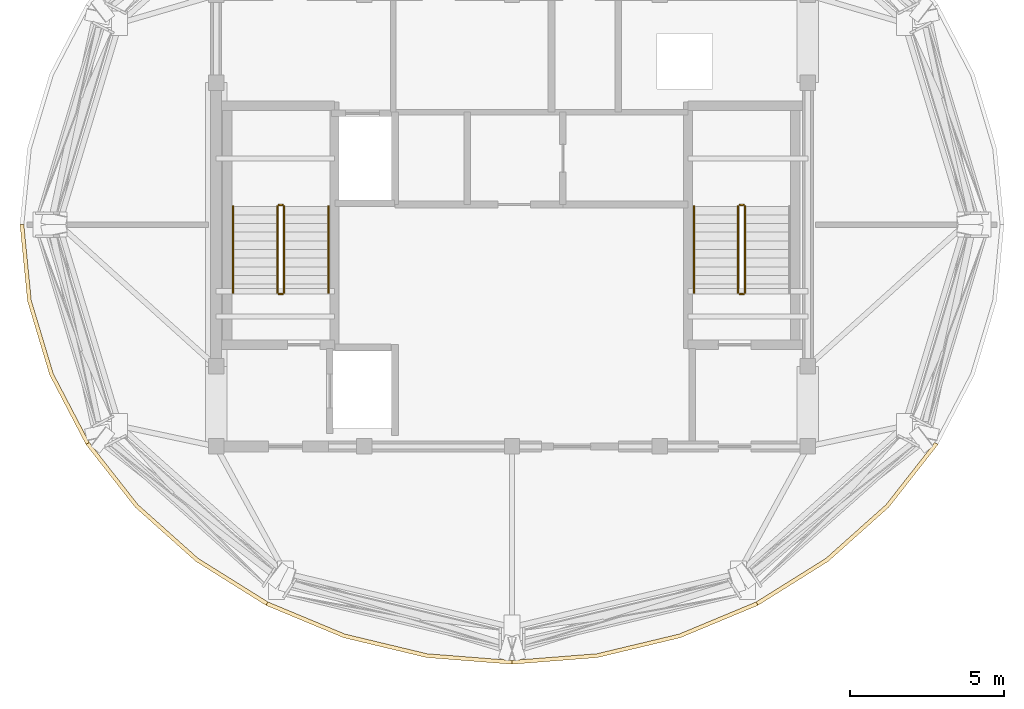
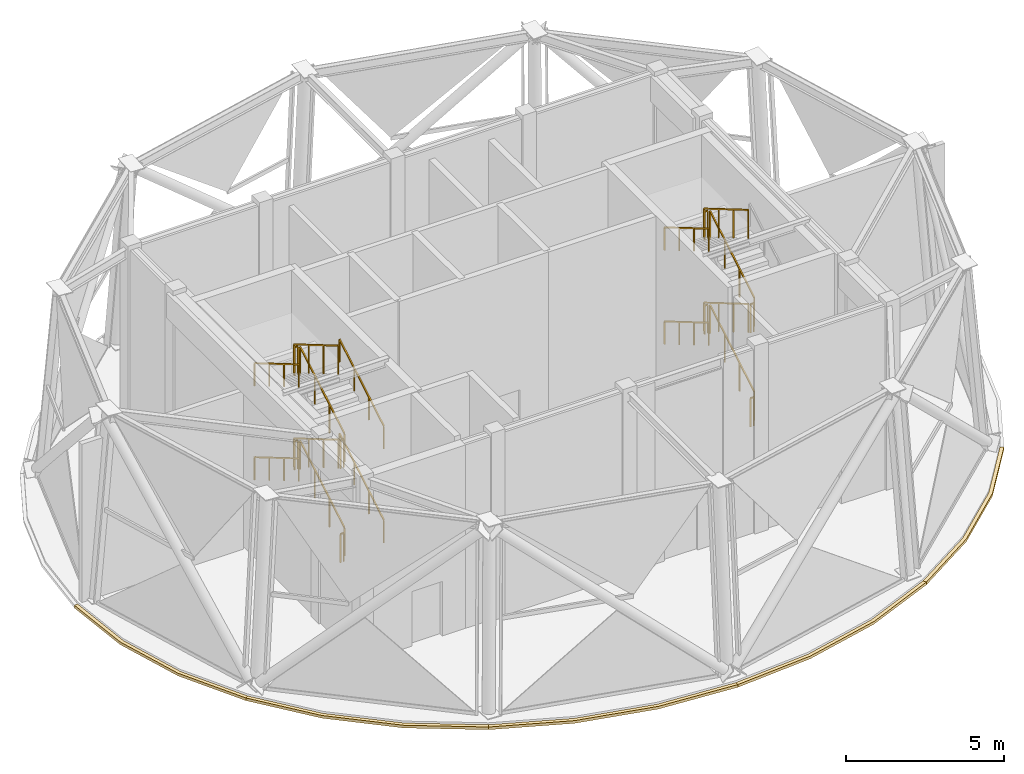
# One storey, part 7 of 8: 22 railings, 5 coverings.
"""IFC4 building model written with IfcOpenShell, lengths in metres."""

from ifc_helpers import new_model, si_unit, direction, frame, origin, origin_2d, place, context, subcontext, project, spatial, polyline, rectangle, outline, extrude, material, layer, layer_set, type_object, element, save


model = new_model("IFC4")

# Units and contexts
model_context = context("Model", 3, precision=1e-05, world=origin(), true_north=direction((0.0, 1.0)))
body_context = subcontext(model_context, "Body", "Model", "MODEL_VIEW")
ifc_project = project(units=[si_unit("LENGTHUNIT", "METRE"), si_unit("AREAUNIT", "SQUARE_METRE"), si_unit("VOLUMEUNIT", "CUBIC_METRE"), si_unit("PLANEANGLEUNIT", "RADIAN"), si_unit("MASSUNIT", "GRAM", prefix="KILO")], contexts=[model_context])

# Site, building, storey
site_placement = place(None, origin())
site = spatial("IfcSite", under=ifc_project, at=site_placement, CompositionType="ELEMENT")
building_placement = place(site_placement, origin())
building = spatial("IfcBuilding", under=site, at=building_placement, Name="Vantalir Tower", CompositionType="ELEMENT")
storey_placement = place(building_placement, frame((0.0, 0.0, 326.25)))
storey = spatial("IfcBuildingStorey", under=building, at=storey_placement, Name="L79", CompositionType="ELEMENT", Elevation=326.25)

# Coverings
ifc_material_1 = material(Name="Anodised champagne aluminium sill fascia", Category="aluminium")
ifc_layer = layer(ifc_material_1, 0.125)
ifc_layer_set = layer_set([ifc_layer], Name="Anodised champagne aluminium sill fascia")
covering_type = type_object("IfcCoveringType", Name="COV-SLAB-FASCIA-125", PredefinedType="CLADDING", material=ifc_layer_set)
covering_1_placement = place(storey_placement, frame((0.0, 0.0, -0.179931640625)))
element("IfcCovering", 1, at=covering_1_placement, inside=storey, type_object=covering_type, Name="L79 Perimeter Slab-Edge Sill Fascia 07", PredefinedType="CLADDING", context=body_context, shape_type="SweptSolid", body=[
    extrude(outline(polyline([(15.537109375, 25.0), (15.780029296875, 22.52294921875), (16.5, 20.12109375), (17.676025390625, 17.866943359375), (17.783935546875, 17.928955078125), (16.616943359375, 20.1630859375), (15.903076171875, 22.5439453125), (15.662109375, 25.0), (15.537109375, 25.0)])), origin(), (0.0, 0.0, 1.0), 0.10498046875),
])
covering_2_placement = place(storey_placement, frame((0.0, 0.0, -0.179931640625)))
element("IfcCovering", 2, at=covering_2_placement, inside=storey, type_object=covering_type, Name="L79 Perimeter Slab-Edge Sill Fascia 08", PredefinedType="CLADDING", context=body_context, shape_type="SweptSolid", body=[
    extrude(outline(polyline([(17.676025390625, 17.866943359375), (19.27197265625, 15.830078125), (21.239013671875, 14.072021484375), (23.51806640625, 12.64501953125), (23.5810546875, 12.75390625), (21.320068359375, 14.1669921875), (19.366943359375, 15.909912109375), (17.783935546875, 17.928955078125), (17.676025390625, 17.866943359375)])), origin(), (0.0, 0.0, 1.0), 0.10498046875),
])
covering_3_placement = place(storey_placement, frame((0.0, 0.0, -0.179931640625)))
element("IfcCovering", 3, at=covering_3_placement, inside=storey, type_object=covering_type, Name="L79 Perimeter Slab-Edge Sill Fascia 09", PredefinedType="CLADDING", context=body_context, shape_type="SweptSolid", body=[
    extrude(outline(polyline([(23.51806640625, 12.64501953125), (26.0400390625, 11.593994140625), (28.72802734375, 10.950927734375), (31.5, 10.73388671875), (31.5, 10.85888671875), (28.75, 11.073974609375), (26.0830078125, 11.7119140625), (23.5810546875, 12.75390625), (23.51806640625, 12.64501953125)])), origin(), (0.0, 0.0, 1.0), 0.10498046875),
])
covering_4_placement = place(storey_placement, frame((0.0, 0.0, -0.179931640625)))
element("IfcCovering", 4, at=covering_4_placement, inside=storey, type_object=covering_type, Name="L79 Perimeter Slab-Edge Sill Fascia 10", PredefinedType="CLADDING", context=body_context, shape_type="SweptSolid", body=[
    extrude(outline(polyline([(31.5, 10.73388671875), (34.27197265625, 10.950927734375), (36.9599609375, 11.593994140625), (39.48193359375, 12.64501953125), (39.4189453125, 12.75390625), (36.9169921875, 11.7119140625), (34.25, 11.073974609375), (31.5, 10.85888671875), (31.5, 10.73388671875)])), origin(), (0.0, 0.0, 1.0), 0.10498046875),
])
covering_5_placement = place(storey_placement, frame((0.0, 0.0, -0.179931640625)))
element("IfcCovering", 5, at=covering_5_placement, inside=storey, type_object=covering_type, Name="L79 Perimeter Slab-Edge Sill Fascia 11", PredefinedType="CLADDING", context=body_context, shape_type="SweptSolid", body=[
    extrude(outline(polyline([(39.48193359375, 12.64501953125), (41.760986328125, 14.072021484375), (43.72802734375, 15.830078125), (45.323974609375, 17.866943359375), (45.216064453125, 17.928955078125), (43.633056640625, 15.909912109375), (41.679931640625, 14.1669921875), (39.4189453125, 12.75390625), (39.48193359375, 12.64501953125)])), origin(), (0.0, 0.0, 1.0), 0.10498046875),
])

# Railings
ifc_material_2 = material(Name="Anodised aluminium and stainless steel guard", Category="steel")
railing_type_1 = type_object("IfcRailingType", Name="RAL-GUARD-1120", PredefinedType="GUARDRAIL", material=ifc_material_2)
railing_1_placement = place(storey_placement, frame((24.110107421875, 22.7900390625, 0.164794921875)))
element("IfcRailing", 6, at=railing_1_placement, inside=storey, type_object=railing_type_1, Name="L79 ST1 stair guard 1", PredefinedType="GUARDRAIL", context=body_context, shape_type="SweptSolid", body=[
    extrude(rectangle(XDim=0.048095703125, YDim=0.048095703125, at=origin_2d()), frame((0.0, 0.0, 1.09619140625), z_axis=(0.0, 0.861851137157, 0.507161332695), x_axis=(-1.0, 0.0, 0.0)), (0.0, 0.0, 1.0), 3.248779296875),
    extrude(rectangle(XDim=0.0419921875, YDim=0.0419921875, at=origin_2d()), origin(), (0.0, 0.0, 1.0), 1.072021484375),
    extrude(rectangle(XDim=0.0419921875, YDim=0.0419921875, at=origin_2d()), frame((0.0, 0.933349609375, 0.54931640625)), (0.0, 0.0, 1.0), 1.072021484375),
    extrude(rectangle(XDim=0.0419921875, YDim=0.0419921875, at=origin_2d()), frame((0.0, 1.86669921875, 1.098388671875)), (0.0, 0.0, 1.0), 1.072021484375),
    extrude(rectangle(XDim=0.0419921875, YDim=0.0419921875, at=origin_2d()), frame((0.0, 2.800048828125, 1.647705078125)), (0.0, 0.0, 1.0), 1.072021484375),
])
railing_2_placement = place(storey_placement, frame((24.06005859375, 25.639892578125, 1.8125)))
element("IfcRailing", 7, at=railing_2_placement, inside=storey, type_object=railing_type_1, Name="L79 ST1 stair guard 2", PredefinedType="GUARDRAIL", context=body_context, shape_type="SweptSolid", body=[
    extrude(rectangle(XDim=0.048095703125, YDim=0.048095703125, at=origin_2d()), frame((0.0, 0.0, 1.09619140625), z_axis=(-1.0, 0.0, 0.0), x_axis=(0.0, -1.0, 0.0)), (0.0, 0.0, 1.0), 0.1201171875),
    extrude(rectangle(XDim=0.0419921875, YDim=0.0419921875, at=origin_2d()), origin(), (0.0, 0.0, 1.0), 1.072021484375),
    extrude(rectangle(XDim=0.0419921875, YDim=0.0419921875, at=origin_2d()), frame((-0.1201171875, 0.0, 0.0)), (0.0, 0.0, 1.0), 1.072021484375),
])
railing_3_placement = place(storey_placement, frame((23.889892578125, 25.590087890625, 1.977294921875)))
element("IfcRailing", 8, at=railing_3_placement, inside=storey, type_object=railing_type_1, Name="L79 ST1 stair guard 3", PredefinedType="GUARDRAIL", context=body_context, shape_type="SweptSolid", body=[
    extrude(rectangle(XDim=0.048095703125, YDim=0.048095703125, at=origin_2d()), frame((0.0, 0.0, 1.09619140625), z_axis=(0.0, -0.861851137157, 0.507161332695), x_axis=(1.0, 0.0, 0.0)), (0.0, 0.0, 1.0), 3.248779296875),
    extrude(rectangle(XDim=0.0419921875, YDim=0.0419921875, at=origin_2d()), origin(), (0.0, 0.0, 1.0), 1.072021484375),
    extrude(rectangle(XDim=0.0419921875, YDim=0.0419921875, at=origin_2d()), frame((0.0, -0.933349609375, 0.54931640625)), (0.0, 0.0, 1.0), 1.072021484375),
    extrude(rectangle(XDim=0.0419921875, YDim=0.0419921875, at=origin_2d()), frame((0.0, -1.86669921875, 1.098388671875)), (0.0, 0.0, 1.0), 1.072021484375),
    extrude(rectangle(XDim=0.0419921875, YDim=0.0419921875, at=origin_2d()), frame((0.0, -2.800048828125, 1.647705078125)), (0.0, 0.0, 1.0), 1.072021484375),
])
railing_4_placement = place(storey_placement, frame((24.06005859375, 22.739990234375, 3.625)))
element("IfcRailing", 9, at=railing_4_placement, inside=storey, type_object=railing_type_1, Name="L79 ST1 stair guard 4", PredefinedType="GUARDRAIL", context=body_context, shape_type="SweptSolid", body=[
    extrude(rectangle(XDim=0.048095703125, YDim=0.048095703125, at=origin_2d()), frame((0.0, 0.0, 1.09619140625), z_axis=(-1.0, 0.0, 0.0), x_axis=(0.0, -1.0, 0.0)), (0.0, 0.0, 1.0), 0.1201171875),
    extrude(rectangle(XDim=0.0419921875, YDim=0.0419921875, at=origin_2d()), origin(), (0.0, 0.0, 1.0), 1.072021484375),
    extrude(rectangle(XDim=0.0419921875, YDim=0.0419921875, at=origin_2d()), frame((-0.1201171875, 0.0, 0.0)), (0.0, 0.0, 1.0), 1.072021484375),
])
railing_5_placement = place(storey_placement, frame((24.110107421875, 22.7900390625, 3.789794921875)))
element("IfcRailing", 10, at=railing_5_placement, inside=storey, type_object=railing_type_1, Name="L79 ST1 stair guard 5", PredefinedType="GUARDRAIL", context=body_context, shape_type="SweptSolid", body=[
    extrude(rectangle(XDim=0.048095703125, YDim=0.048095703125, at=origin_2d()), frame((0.0, 0.0, 1.09619140625), z_axis=(0.0, 0.861851137157, 0.507161332695), x_axis=(-1.0, 0.0, 0.0)), (0.0, 0.0, 1.0), 3.248779296875),
    extrude(rectangle(XDim=0.0419921875, YDim=0.0419921875, at=origin_2d()), origin(), (0.0, 0.0, 1.0), 1.072021484375),
    extrude(rectangle(XDim=0.0419921875, YDim=0.0419921875, at=origin_2d()), frame((0.0, 0.933349609375, 0.54931640625)), (0.0, 0.0, 1.0), 1.072021484375),
    extrude(rectangle(XDim=0.0419921875, YDim=0.0419921875, at=origin_2d()), frame((0.0, 1.86669921875, 1.098388671875)), (0.0, 0.0, 1.0), 1.072021484375),
    extrude(rectangle(XDim=0.0419921875, YDim=0.0419921875, at=origin_2d()), frame((0.0, 2.800048828125, 1.647705078125)), (0.0, 0.0, 1.0), 1.072021484375),
])
railing_6_placement = place(storey_placement, frame((24.06005859375, 25.639892578125, 5.4375)))
element("IfcRailing", 11, at=railing_6_placement, inside=storey, type_object=railing_type_1, Name="L79 ST1 stair guard 6", PredefinedType="GUARDRAIL", context=body_context, shape_type="SweptSolid", body=[
    extrude(rectangle(XDim=0.048095703125, YDim=0.048095703125, at=origin_2d()), frame((0.0, 0.0, 1.09619140625), z_axis=(-1.0, 0.0, 0.0), x_axis=(0.0, -1.0, 0.0)), (0.0, 0.0, 1.0), 0.1201171875),
    extrude(rectangle(XDim=0.0419921875, YDim=0.0419921875, at=origin_2d()), origin(), (0.0, 0.0, 1.0), 1.072021484375),
    extrude(rectangle(XDim=0.0419921875, YDim=0.0419921875, at=origin_2d()), frame((-0.1201171875, 0.0, 0.0)), (0.0, 0.0, 1.0), 1.072021484375),
])
railing_7_placement = place(storey_placement, frame((23.889892578125, 25.590087890625, 5.602294921875)))
element("IfcRailing", 12, at=railing_7_placement, inside=storey, type_object=railing_type_1, Name="L79 ST1 stair guard 7", PredefinedType="GUARDRAIL", context=body_context, shape_type="SweptSolid", body=[
    extrude(rectangle(XDim=0.048095703125, YDim=0.048095703125, at=origin_2d()), frame((0.0, 0.0, 1.09619140625), z_axis=(0.0, -0.861851137157, 0.507161332695), x_axis=(1.0, 0.0, 0.0)), (0.0, 0.0, 1.0), 3.248779296875),
    extrude(rectangle(XDim=0.0419921875, YDim=0.0419921875, at=origin_2d()), origin(), (0.0, 0.0, 1.0), 1.072021484375),
    extrude(rectangle(XDim=0.0419921875, YDim=0.0419921875, at=origin_2d()), frame((0.0, -0.933349609375, 0.54931640625)), (0.0, 0.0, 1.0), 1.072021484375),
    extrude(rectangle(XDim=0.0419921875, YDim=0.0419921875, at=origin_2d()), frame((0.0, -1.86669921875, 1.098388671875)), (0.0, 0.0, 1.0), 1.072021484375),
    extrude(rectangle(XDim=0.0419921875, YDim=0.0419921875, at=origin_2d()), frame((0.0, -2.800048828125, 1.647705078125)), (0.0, 0.0, 1.0), 1.072021484375),
])
railing_8_placement = place(storey_placement, frame((24.06005859375, 22.739990234375, 0.0)))
element("IfcRailing", 13, at=railing_8_placement, inside=storey, type_object=railing_type_1, Name="L79 ST1 stair guard 8", PredefinedType="GUARDRAIL", context=body_context, shape_type="SweptSolid", body=[
    extrude(rectangle(XDim=0.048095703125, YDim=0.048095703125, at=origin_2d()), frame((0.0, 0.0, 1.09619140625), z_axis=(-1.0, 0.0, 0.0), x_axis=(0.0, -1.0, 0.0)), (0.0, 0.0, 1.0), 0.1201171875),
    extrude(rectangle(XDim=0.0419921875, YDim=0.0419921875, at=origin_2d()), origin(), (0.0, 0.0, 1.0), 1.072021484375),
    extrude(rectangle(XDim=0.0419921875, YDim=0.0419921875, at=origin_2d()), frame((-0.1201171875, 0.0, 0.0)), (0.0, 0.0, 1.0), 1.072021484375),
])
railing_9_placement = place(storey_placement, frame((39.06005859375, 22.7900390625, 0.164794921875)))
element("IfcRailing", 14, at=railing_9_placement, inside=storey, type_object=railing_type_1, Name="L79 ST2 stair guard 1", PredefinedType="GUARDRAIL", context=body_context, shape_type="SweptSolid", body=[
    extrude(rectangle(XDim=0.048095703125, YDim=0.048095703125, at=origin_2d()), frame((0.0, 0.0, 1.09619140625), z_axis=(0.0, 0.861851137157, 0.507161332695), x_axis=(-1.0, 0.0, 0.0)), (0.0, 0.0, 1.0), 3.248779296875),
    extrude(rectangle(XDim=0.0419921875, YDim=0.0419921875, at=origin_2d()), origin(), (0.0, 0.0, 1.0), 1.072021484375),
    extrude(rectangle(XDim=0.0419921875, YDim=0.0419921875, at=origin_2d()), frame((0.0, 0.933349609375, 0.54931640625)), (0.0, 0.0, 1.0), 1.072021484375),
    extrude(rectangle(XDim=0.0419921875, YDim=0.0419921875, at=origin_2d()), frame((0.0, 1.86669921875, 1.098388671875)), (0.0, 0.0, 1.0), 1.072021484375),
    extrude(rectangle(XDim=0.0419921875, YDim=0.0419921875, at=origin_2d()), frame((0.0, 2.800048828125, 1.647705078125)), (0.0, 0.0, 1.0), 1.072021484375),
])
railing_10_placement = place(storey_placement, frame((39.010009765625, 25.639892578125, 1.8125)))
element("IfcRailing", 15, at=railing_10_placement, inside=storey, type_object=railing_type_1, Name="L79 ST2 stair guard 2", PredefinedType="GUARDRAIL", context=body_context, shape_type="SweptSolid", body=[
    extrude(rectangle(XDim=0.048095703125, YDim=0.048095703125, at=origin_2d()), frame((0.0, 0.0, 1.09619140625), z_axis=(-1.0, 0.0, 0.0), x_axis=(0.0, -1.0, 0.0)), (0.0, 0.0, 1.0), 0.1201171875),
    extrude(rectangle(XDim=0.0419921875, YDim=0.0419921875, at=origin_2d()), origin(), (0.0, 0.0, 1.0), 1.072021484375),
    extrude(rectangle(XDim=0.0419921875, YDim=0.0419921875, at=origin_2d()), frame((-0.1201171875, 0.0, 0.0)), (0.0, 0.0, 1.0), 1.072021484375),
])
railing_11_placement = place(storey_placement, frame((38.840087890625, 25.590087890625, 1.977294921875)))
element("IfcRailing", 16, at=railing_11_placement, inside=storey, type_object=railing_type_1, Name="L79 ST2 stair guard 3", PredefinedType="GUARDRAIL", context=body_context, shape_type="SweptSolid", body=[
    extrude(rectangle(XDim=0.048095703125, YDim=0.048095703125, at=origin_2d()), frame((0.0, 0.0, 1.09619140625), z_axis=(0.0, -0.861851137157, 0.507161332695), x_axis=(1.0, 0.0, 0.0)), (0.0, 0.0, 1.0), 3.248779296875),
    extrude(rectangle(XDim=0.0419921875, YDim=0.0419921875, at=origin_2d()), origin(), (0.0, 0.0, 1.0), 1.072021484375),
    extrude(rectangle(XDim=0.0419921875, YDim=0.0419921875, at=origin_2d()), frame((0.0, -0.933349609375, 0.54931640625)), (0.0, 0.0, 1.0), 1.072021484375),
    extrude(rectangle(XDim=0.0419921875, YDim=0.0419921875, at=origin_2d()), frame((0.0, -1.86669921875, 1.098388671875)), (0.0, 0.0, 1.0), 1.072021484375),
    extrude(rectangle(XDim=0.0419921875, YDim=0.0419921875, at=origin_2d()), frame((0.0, -2.800048828125, 1.647705078125)), (0.0, 0.0, 1.0), 1.072021484375),
])
railing_12_placement = place(storey_placement, frame((39.010009765625, 22.739990234375, 3.625)))
element("IfcRailing", 17, at=railing_12_placement, inside=storey, type_object=railing_type_1, Name="L79 ST2 stair guard 4", PredefinedType="GUARDRAIL", context=body_context, shape_type="SweptSolid", body=[
    extrude(rectangle(XDim=0.048095703125, YDim=0.048095703125, at=origin_2d()), frame((0.0, 0.0, 1.09619140625), z_axis=(-1.0, 0.0, 0.0), x_axis=(0.0, -1.0, 0.0)), (0.0, 0.0, 1.0), 0.1201171875),
    extrude(rectangle(XDim=0.0419921875, YDim=0.0419921875, at=origin_2d()), origin(), (0.0, 0.0, 1.0), 1.072021484375),
    extrude(rectangle(XDim=0.0419921875, YDim=0.0419921875, at=origin_2d()), frame((-0.1201171875, 0.0, 0.0)), (0.0, 0.0, 1.0), 1.072021484375),
])
railing_13_placement = place(storey_placement, frame((39.06005859375, 22.7900390625, 3.789794921875)))
element("IfcRailing", 18, at=railing_13_placement, inside=storey, type_object=railing_type_1, Name="L79 ST2 stair guard 5", PredefinedType="GUARDRAIL", context=body_context, shape_type="SweptSolid", body=[
    extrude(rectangle(XDim=0.048095703125, YDim=0.048095703125, at=origin_2d()), frame((0.0, 0.0, 1.09619140625), z_axis=(0.0, 0.861851137157, 0.507161332695), x_axis=(-1.0, 0.0, 0.0)), (0.0, 0.0, 1.0), 3.248779296875),
    extrude(rectangle(XDim=0.0419921875, YDim=0.0419921875, at=origin_2d()), origin(), (0.0, 0.0, 1.0), 1.072021484375),
    extrude(rectangle(XDim=0.0419921875, YDim=0.0419921875, at=origin_2d()), frame((0.0, 0.933349609375, 0.54931640625)), (0.0, 0.0, 1.0), 1.072021484375),
    extrude(rectangle(XDim=0.0419921875, YDim=0.0419921875, at=origin_2d()), frame((0.0, 1.86669921875, 1.098388671875)), (0.0, 0.0, 1.0), 1.072021484375),
    extrude(rectangle(XDim=0.0419921875, YDim=0.0419921875, at=origin_2d()), frame((0.0, 2.800048828125, 1.647705078125)), (0.0, 0.0, 1.0), 1.072021484375),
])
railing_14_placement = place(storey_placement, frame((39.010009765625, 25.639892578125, 5.4375)))
element("IfcRailing", 19, at=railing_14_placement, inside=storey, type_object=railing_type_1, Name="L79 ST2 stair guard 6", PredefinedType="GUARDRAIL", context=body_context, shape_type="SweptSolid", body=[
    extrude(rectangle(XDim=0.048095703125, YDim=0.048095703125, at=origin_2d()), frame((0.0, 0.0, 1.09619140625), z_axis=(-1.0, 0.0, 0.0), x_axis=(0.0, -1.0, 0.0)), (0.0, 0.0, 1.0), 0.1201171875),
    extrude(rectangle(XDim=0.0419921875, YDim=0.0419921875, at=origin_2d()), origin(), (0.0, 0.0, 1.0), 1.072021484375),
    extrude(rectangle(XDim=0.0419921875, YDim=0.0419921875, at=origin_2d()), frame((-0.1201171875, 0.0, 0.0)), (0.0, 0.0, 1.0), 1.072021484375),
])
railing_15_placement = place(storey_placement, frame((38.840087890625, 25.590087890625, 5.602294921875)))
element("IfcRailing", 20, at=railing_15_placement, inside=storey, type_object=railing_type_1, Name="L79 ST2 stair guard 7", PredefinedType="GUARDRAIL", context=body_context, shape_type="SweptSolid", body=[
    extrude(rectangle(XDim=0.048095703125, YDim=0.048095703125, at=origin_2d()), frame((0.0, 0.0, 1.09619140625), z_axis=(0.0, -0.861851137157, 0.507161332695), x_axis=(1.0, 0.0, 0.0)), (0.0, 0.0, 1.0), 3.248779296875),
    extrude(rectangle(XDim=0.0419921875, YDim=0.0419921875, at=origin_2d()), origin(), (0.0, 0.0, 1.0), 1.072021484375),
    extrude(rectangle(XDim=0.0419921875, YDim=0.0419921875, at=origin_2d()), frame((0.0, -0.933349609375, 0.54931640625)), (0.0, 0.0, 1.0), 1.072021484375),
    extrude(rectangle(XDim=0.0419921875, YDim=0.0419921875, at=origin_2d()), frame((0.0, -1.86669921875, 1.098388671875)), (0.0, 0.0, 1.0), 1.072021484375),
    extrude(rectangle(XDim=0.0419921875, YDim=0.0419921875, at=origin_2d()), frame((0.0, -2.800048828125, 1.647705078125)), (0.0, 0.0, 1.0), 1.072021484375),
])
railing_16_placement = place(storey_placement, frame((39.010009765625, 22.739990234375, 0.0)))
element("IfcRailing", 21, at=railing_16_placement, inside=storey, type_object=railing_type_1, Name="L79 ST2 stair guard 8", PredefinedType="GUARDRAIL", context=body_context, shape_type="SweptSolid", body=[
    extrude(rectangle(XDim=0.048095703125, YDim=0.048095703125, at=origin_2d()), frame((0.0, 0.0, 1.09619140625), z_axis=(-1.0, 0.0, 0.0), x_axis=(0.0, -1.0, 0.0)), (0.0, 0.0, 1.0), 0.1201171875),
    extrude(rectangle(XDim=0.0419921875, YDim=0.0419921875, at=origin_2d()), origin(), (0.0, 0.0, 1.0), 1.072021484375),
    extrude(rectangle(XDim=0.0419921875, YDim=0.0419921875, at=origin_2d()), frame((-0.1201171875, 0.0, 0.0)), (0.0, 0.0, 1.0), 1.072021484375),
])
ifc_material_3 = material(Name="Brushed stainless steel tubular handrail", Category="steel")
railing_type_2 = type_object("IfcRailingType", Name="RAL-HANDRAIL-900", PredefinedType="HANDRAIL", material=ifc_material_3)
railing_17_placement = place(storey_placement, frame((25.550048828125, 22.7900390625, 0.164794921875)))
element("IfcRailing", 22, at=railing_17_placement, inside=storey, type_object=railing_type_2, Name="L79 ST1 stair handrail 1", PredefinedType="HANDRAIL", context=body_context, shape_type="SweptSolid", body=[
    extrude(rectangle(XDim=0.048095703125, YDim=0.048095703125, at=origin_2d()), frame((0.0, 0.0, 0.8759765625), z_axis=(0.0, 0.861851137157, 0.507161332695), x_axis=(-1.0, 0.0, 0.0)), (0.0, 0.0, 1.0), 3.248779296875),
    extrude(rectangle(XDim=0.0419921875, YDim=0.0419921875, at=origin_2d()), origin(), (0.0, 0.0, 1.0), 0.851806640625),
    extrude(rectangle(XDim=0.0419921875, YDim=0.0419921875, at=origin_2d()), frame((0.0, 0.933349609375, 0.54931640625)), (0.0, 0.0, 1.0), 0.851806640625),
    extrude(rectangle(XDim=0.0419921875, YDim=0.0419921875, at=origin_2d()), frame((0.0, 1.86669921875, 1.098388671875)), (0.0, 0.0, 1.0), 0.851806640625),
    extrude(rectangle(XDim=0.0419921875, YDim=0.0419921875, at=origin_2d()), frame((0.0, 2.800048828125, 1.647705078125)), (0.0, 0.0, 1.0), 0.851806640625),
])
railing_18_placement = place(storey_placement, frame((22.449951171875, 25.590087890625, 1.977294921875)))
element("IfcRailing", 23, at=railing_18_placement, inside=storey, type_object=railing_type_2, Name="L79 ST1 stair handrail 2", PredefinedType="HANDRAIL", context=body_context, shape_type="SweptSolid", body=[
    extrude(rectangle(XDim=0.048095703125, YDim=0.048095703125, at=origin_2d()), frame((0.0, 0.0, 0.8759765625), z_axis=(0.0, -0.861851137157, 0.507161332695), x_axis=(1.0, 0.0, 0.0)), (0.0, 0.0, 1.0), 3.248779296875),
    extrude(rectangle(XDim=0.0419921875, YDim=0.0419921875, at=origin_2d()), origin(), (0.0, 0.0, 1.0), 0.851806640625),
    extrude(rectangle(XDim=0.0419921875, YDim=0.0419921875, at=origin_2d()), frame((0.0, -0.933349609375, 0.54931640625)), (0.0, 0.0, 1.0), 0.851806640625),
    extrude(rectangle(XDim=0.0419921875, YDim=0.0419921875, at=origin_2d()), frame((0.0, -1.86669921875, 1.098388671875)), (0.0, 0.0, 1.0), 0.851806640625),
    extrude(rectangle(XDim=0.0419921875, YDim=0.0419921875, at=origin_2d()), frame((0.0, -2.800048828125, 1.647705078125)), (0.0, 0.0, 1.0), 0.851806640625),
])
railing_19_placement = place(storey_placement, frame((25.550048828125, 22.7900390625, 3.789794921875)))
element("IfcRailing", 24, at=railing_19_placement, inside=storey, type_object=railing_type_2, Name="L79 ST1 stair handrail 3", PredefinedType="HANDRAIL", context=body_context, shape_type="SweptSolid", body=[
    extrude(rectangle(XDim=0.048095703125, YDim=0.048095703125, at=origin_2d()), frame((0.0, 0.0, 0.8759765625), z_axis=(0.0, 0.861851137157, 0.507161332695), x_axis=(-1.0, 0.0, 0.0)), (0.0, 0.0, 1.0), 3.248779296875),
    extrude(rectangle(XDim=0.0419921875, YDim=0.0419921875, at=origin_2d()), origin(), (0.0, 0.0, 1.0), 0.851806640625),
    extrude(rectangle(XDim=0.0419921875, YDim=0.0419921875, at=origin_2d()), frame((0.0, 0.933349609375, 0.54931640625)), (0.0, 0.0, 1.0), 0.851806640625),
    extrude(rectangle(XDim=0.0419921875, YDim=0.0419921875, at=origin_2d()), frame((0.0, 1.86669921875, 1.098388671875)), (0.0, 0.0, 1.0), 0.851806640625),
    extrude(rectangle(XDim=0.0419921875, YDim=0.0419921875, at=origin_2d()), frame((0.0, 2.800048828125, 1.647705078125)), (0.0, 0.0, 1.0), 0.851806640625),
])
for number, where, name in (
    (25, (22.449951171875, 25.590087890625, 5.602294921875), "L79 ST1 stair handrail 4"),
    (26, (37.39990234375, 25.590087890625, 1.977294921875), "L79 ST2 stair handrail 2"),
    (27, (37.39990234375, 25.590087890625, 5.602294921875), "L79 ST2 stair handrail 4"),
):
    element("IfcRailing", number, at=place(storey_placement, frame(where)), inside=storey, type_object=railing_type_2, Name=name, PredefinedType="HANDRAIL", context=body_context, shape_type="SweptSolid", body=[
        extrude(rectangle(XDim=0.048095703125, YDim=0.048095703125, at=origin_2d()), frame((0.0, 0.0, 0.8759765625), z_axis=(0.0, -0.861851137157, 0.507161332695), x_axis=(1.0, 0.0, 0.0)), (0.0, 0.0, 1.0), 3.248779296875),
        extrude(rectangle(XDim=0.0419921875, YDim=0.0419921875, at=origin_2d()), origin(), (0.0, 0.0, 1.0), 0.851806640625),
        extrude(rectangle(XDim=0.0419921875, YDim=0.0419921875, at=origin_2d()), frame((0.0, -0.933349609375, 0.54931640625)), (0.0, 0.0, 1.0), 0.851806640625),
        extrude(rectangle(XDim=0.0419921875, YDim=0.0419921875, at=origin_2d()), frame((0.0, -1.86669921875, 1.098388671875)), (0.0, 0.0, 1.0), 0.851806640625),
        extrude(rectangle(XDim=0.0419921875, YDim=0.0419921875, at=origin_2d()), frame((0.0, -2.800048828125, 1.647705078125)), (0.0, 0.0, 1.0), 0.851806640625),
    ])

save(model, "model.ifc")
